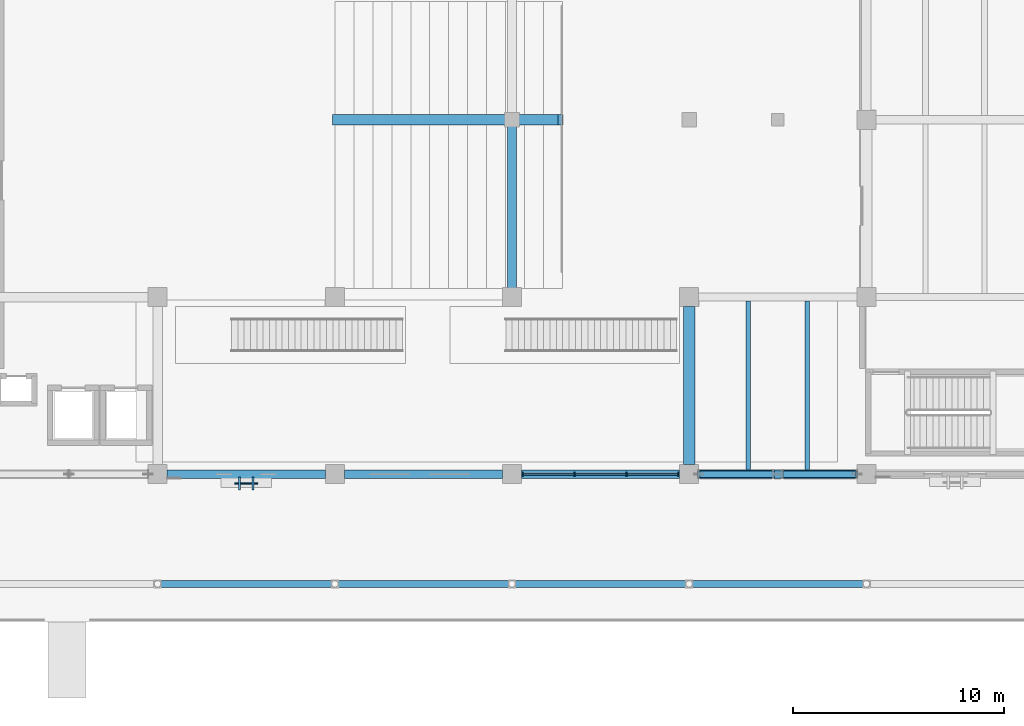
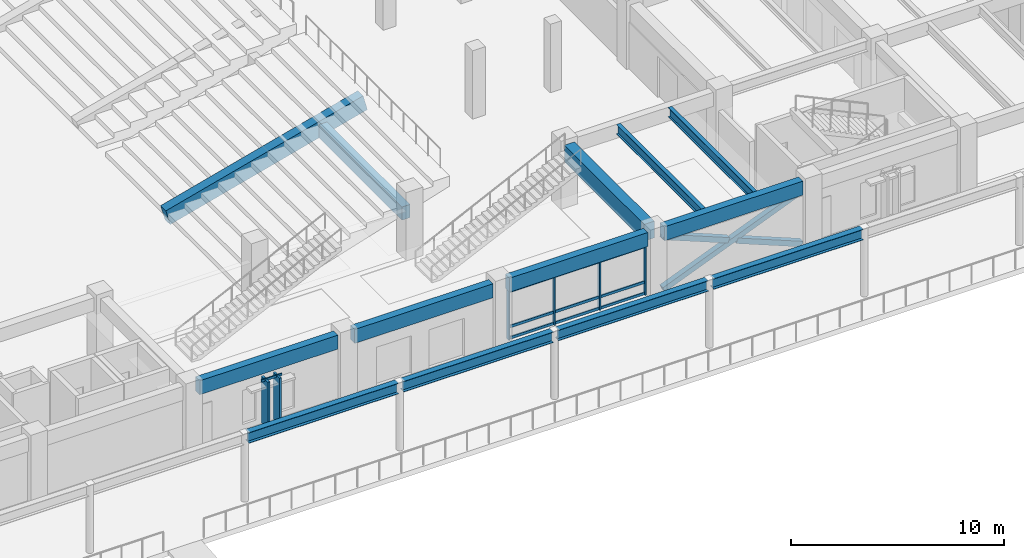
# One storey, part 25 of 135: 19 members, 13 beams, 2 elements without a shape of their own.
"""IFC4 building model written with IfcOpenShell, lengths in metres."""

from ifc_helpers import new_model, si_unit, direction, frame, origin, origin_2d, place, context, subcontext, project, spatial, rectangle, hollow_rectangle, i_section, extrude, material, material_profile, profile_set, type_object, element, aggregate, save


model = new_model("IFC4")

# Units and contexts
model_context = context("Model", 3, precision=1e-05, world=origin(), true_north=direction((0.0, 1.0)))
body_context = subcontext(model_context, "Body", "Model", "MODEL_VIEW")
ifc_project = project(units=[si_unit("LENGTHUNIT", "METRE"), si_unit("AREAUNIT", "SQUARE_METRE"), si_unit("VOLUMEUNIT", "CUBIC_METRE"), si_unit("PLANEANGLEUNIT", "RADIAN"), si_unit("MASSUNIT", "GRAM", prefix="KILO")], contexts=[model_context])

# Site, building, storey
site_placement = place(None, origin())
site = spatial("IfcSite", under=ifc_project, at=site_placement, CompositionType="ELEMENT")
building_placement = place(site_placement, origin())
building = spatial("IfcBuilding", under=site, at=building_placement, Name="Cumbredor Promenade Congress Hotel", CompositionType="ELEMENT")
storey_placement = place(building_placement, origin())
storey = spatial("IfcBuildingStorey", under=building, at=storey_placement, Name="L00", CompositionType="ELEMENT", Elevation=0.0)

# Beams
ifc_material_1 = material(Name="Concrete C40/50", Category="concrete")
ifc_material_profile_1 = material_profile(ifc_material_1, rectangle(XDim=0.449951171875, YDim=0.75, at=origin_2d()), Name="RC BEAM 450x750")
ifc_profile_set_1 = profile_set([ifc_material_profile_1], Name="Concrete C40/50")
beam_type_1 = type_object("IfcBeamType", Name="BM-RC-450x750", PredefinedType="BEAM", material=ifc_profile_set_1)
beam_1_placement = place(storey_placement, frame((42.0, 17.14990234375, 2.14990234375), z_axis=(0.0, 1.0, 0.0), x_axis=(-1.0, 0.0, 0.0)))
element("IfcBeam", 1, at=beam_1_placement, inside=storey, type_object=beam_type_1, Name="L00 Orchestra Raker Cross Stringer 1", PredefinedType="BEAM", context=body_context, shape_type="SweptSolid", body=[
    extrude(rectangle(XDim=0.449951171875, YDim=0.75, at=origin_2d()), origin(), (0.0, 0.0, 1.0), 8.050048828125),
])
ifc_material_profile_2 = material_profile(ifc_material_1, rectangle(XDim=0.550048828125, YDim=0.949951171875, at=origin_2d()), Name="RC BEAM 550x950")
ifc_profile_set_2 = profile_set([ifc_material_profile_2], Name="Concrete C40/50")
beam_type_2 = type_object("IfcBeamType", Name="BM-RC-550x950", PredefinedType="BEAM", material=ifc_profile_set_2)
beam_2_placement = place(storey_placement, frame((50.39990234375, 8.85009765625, 3.1650390625), z_axis=(0.0, 1.0, 0.0), x_axis=(-1.0, 0.0, 0.0)))
element("IfcBeam", 2, at=beam_2_placement, inside=storey, type_object=beam_type_2, Name="L01 Y-Grid Beam 073", PredefinedType="BEAM", context=body_context, shape_type="SweptSolid", body=[
    extrude(rectangle(XDim=0.550048828125, YDim=0.949951171875, at=origin_2d()), origin(), (0.0, 0.0, 1.0), 7.5),
])
ifc_material_2 = material(Name="Steel ASTM A992 Grade 50", Category="steel")
ifc_material_profile_3 = material_profile(ifc_material_2, i_section(OverallWidth=0.323974609375, OverallDepth=0.611083984375, WebThickness=0.0126953125, FlangeThickness=0.01904296875, at=origin_2d()), Name="W24X104")
ifc_profile_set_3 = profile_set([ifc_material_profile_3], Name="Steel ASTM A992 Grade 50")
beam_type_3 = type_object("IfcBeamType", Name="BM-W24X104", PredefinedType="BEAM", material=ifc_profile_set_3)
beam_3_placement = place(storey_placement, frame((25.340087890625, 3.199951171875, 3.60009765625), z_axis=(1.0, 0.0, 0.0), x_axis=(0.0, 1.0, 0.0)))
element("IfcBeam", 3, at=beam_3_placement, inside=storey, type_object=beam_type_3, Name="Riverside Colonnade Edge Beam 03", PredefinedType="BEAM", context=body_context, shape_type="SweptSolid", body=[
    extrude(i_section(OverallWidth=0.323974609375, OverallDepth=0.611083984375, WebThickness=0.0126953125, FlangeThickness=0.01904296875, at=origin_2d()), origin(), (0.0, 0.0, 1.0), 8.119873046875),
])
for number, where, z_axis, x_axis, name in (
    (4, (33.739990234375, 3.199951171875, 3.60009765625), (1.0, 0.0, 0.0), (0.0, 1.0, 0.0), "Riverside Colonnade Edge Beam 04"),
    (5, (42.139892578125, 3.199951171875, 3.60009765625), (1.0, 0.0, 0.0), (0.0, 1.0, 0.0), "Riverside Colonnade Edge Beam 05"),
):
    element("IfcBeam", number, at=place(storey_placement, frame(where, z_axis=z_axis, x_axis=x_axis)), inside=storey, type_object=beam_type_3, Name=name, PredefinedType="BEAM", context=body_context, shape_type="SweptSolid", body=[
        extrude(i_section(OverallWidth=0.323974609375, OverallDepth=0.611083984375, WebThickness=0.0126953125, FlangeThickness=0.01904296875, at=origin_2d()), origin(), (0.0, 0.0, 1.0), 8.1201171875),
    ])
beam_4_placement = place(storey_placement, frame((50.5400390625, 3.199951171875, 3.60009765625), z_axis=(1.0, 0.0, 0.0), x_axis=(0.0, 1.0, 0.0)))
element("IfcBeam", 6, at=beam_4_placement, inside=storey, type_object=beam_type_3, Name="Riverside Colonnade Edge Beam 06", PredefinedType="BEAM", context=body_context, shape_type="SweptSolid", body=[
    extrude(i_section(OverallWidth=0.323974609375, OverallDepth=0.611083984375, WebThickness=0.0126953125, FlangeThickness=0.01904296875, at=origin_2d()), origin(), (0.0, 0.0, 1.0), 8.119873046875),
])

# Curtain wall, members
ifc_material_3 = material(Name="Thermally broken anodized aluminium and low-E glass", Category="aluminium")
curtain_wall_type_1 = type_object("IfcCurtainWallType", Name="Unitised Grand Foyer Curtain Wall CW-04", PredefinedType="NOTDEFINED", material=ifc_material_3)
curtain_wall_1_placement = place(storey_placement, origin())
curtain_wall_1 = element("IfcCurtainWall", 7, at=curtain_wall_1_placement, inside=storey, type_object=curtain_wall_type_1, Name="L00 Plenary Congress Hall South Curtain Wall 5", PredefinedType="NOTDEFINED")
ifc_material_4 = material(Name="Thermally broken anodized aluminium", Category="aluminium")
ifc_material_profile_4 = material_profile(ifc_material_4, rectangle(XDim=0.074951171875, YDim=0.199951171875, at=origin_2d()), Name="ALU MULLION 75x200")
ifc_profile_set_4 = profile_set([ifc_material_profile_4], Name="Thermally broken anodized aluminium")
member_type_1 = type_object("IfcMemberType", Name="Curtain Wall Mullion ML-02", PredefinedType="MULLION", material=ifc_profile_set_4)
member_1_placement = place(storey_placement, frame((42.5048828125, 8.39990234375, -0.008056640625), z_axis=(0.0, 0.0, 1.0), x_axis=(1.0, 0.0, 0.0)))
member_1 = element("IfcMember", 8, at=member_1_placement, type_object=member_type_1, Name="L00 Plenary Congress Hall South Curtain Wall 5 Mullion 1", PredefinedType="MULLION", context=body_context, shape_type="SweptSolid", body=[
    extrude(rectangle(XDim=0.074951171875, YDim=0.199951171875, at=origin_2d()), origin(), (0.0, 0.0, 1.0), 2.841064453125),
])
member_2_placement = place(storey_placement, frame((44.96826171875, 8.39990234375, -0.008056640625), z_axis=(0.0, 0.0, 1.0), x_axis=(1.0, 0.0, 0.0)))
member_2 = element("IfcMember", 9, at=member_2_placement, type_object=member_type_1, Name="L00 Plenary Congress Hall South Curtain Wall 5 Mullion 2", PredefinedType="MULLION", context=body_context, shape_type="SweptSolid", body=[
    extrude(rectangle(XDim=0.074951171875, YDim=0.199951171875, at=origin_2d()), origin(), (0.0, 0.0, 1.0), 2.841064453125),
])
member_3_placement = place(storey_placement, frame((47.431640625, 8.39990234375, -0.008056640625), z_axis=(0.0, 0.0, 1.0), x_axis=(1.0, 0.0, 0.0)))
member_3 = element("IfcMember", 10, at=member_3_placement, type_object=member_type_1, Name="L00 Plenary Congress Hall South Curtain Wall 5 Mullion 3", PredefinedType="MULLION", context=body_context, shape_type="SweptSolid", body=[
    extrude(rectangle(XDim=0.074951171875, YDim=0.199951171875, at=origin_2d()), origin(), (0.0, 0.0, 1.0), 2.841064453125),
])
member_4_placement = place(storey_placement, frame((49.89501953125, 8.39990234375, -0.008056640625), z_axis=(0.0, 0.0, 1.0), x_axis=(1.0, 0.0, 0.0)))
member_4 = element("IfcMember", 11, at=member_4_placement, type_object=member_type_1, Name="L00 Plenary Congress Hall South Curtain Wall 5 Mullion 4", PredefinedType="MULLION", context=body_context, shape_type="SweptSolid", body=[
    extrude(rectangle(XDim=0.074951171875, YDim=0.199951171875, at=origin_2d()), origin(), (0.0, 0.0, 1.0), 2.841064453125),
])

# Curtain wall, member
curtain_wall_type_2 = type_object("IfcCurtainWallType", Name="Solar Brise-Soleil Screen Assembly CW-07", PredefinedType="NOTDEFINED", material=ifc_material_3)
curtain_wall_2_placement = place(storey_placement, origin())
curtain_wall_2 = element("IfcCurtainWall", 12, at=curtain_wall_2_placement, inside=storey, type_object=curtain_wall_type_2, Name="L00 Pier Brise-Soleil Screen 0004", PredefinedType="NOTDEFINED")
ifc_material_profile_5 = material_profile(ifc_material_4, rectangle(XDim=0.06494140625, YDim=0.1298828125, at=origin_2d()), Name="ALU TRANSOM 65x130")
ifc_profile_set_5 = profile_set([ifc_material_profile_5], Name="Thermally broken anodized aluminium")
member_type_2 = type_object("IfcMemberType", Name="Curtain Wall Transom TR-01", PredefinedType="USERDEFINED", material=ifc_profile_set_5)
member_5_placement = place(storey_placement, frame((28.85009765625, 7.965087890625, 2.6650390625), z_axis=(1.0, 0.0, 0.0), x_axis=(0.0, 1.0, 0.0)))
member_5 = element("IfcMember", 13, at=member_5_placement, type_object=member_type_2, Name="L00 Pier Brise-Soleil Header 0006", ObjectType="TRANSOM", PredefinedType="USERDEFINED", context=body_context, shape_type="SweptSolid", body=[
    extrude(rectangle(XDim=0.06494140625, YDim=0.1298828125, at=origin_2d()), origin(), (0.0, 0.0, 1.0), 1.099853515625),
])

# Member
ifc_material_profile_6 = material_profile(ifc_material_4, rectangle(XDim=0.074951171875, YDim=0.14990234375, at=origin_2d()), Name="ALU TRANSOM 75x150")
ifc_profile_set_6 = profile_set([ifc_material_profile_6], Name="Thermally broken anodized aluminium")
member_type_3 = type_object("IfcMemberType", Name="Curtain Wall Transom TR-02", PredefinedType="USERDEFINED", material=ifc_profile_set_6)
member_6_placement = place(storey_placement, frame((42.54248046875, 8.39990234375, 0.070068359375), z_axis=(1.0, 0.0, 0.0), x_axis=(0.0, 1.0, 0.0)))
member_6 = element("IfcMember", 14, at=member_6_placement, type_object=member_type_3, Name="L00 Plenary Congress Hall South Curtain Wall 5 Transom 1.1", ObjectType="TRANSOM", PredefinedType="USERDEFINED", context=body_context, shape_type="SweptSolid", body=[
    extrude(rectangle(XDim=0.074951171875, YDim=0.14990234375, at=origin_2d()), origin(), (0.0, 0.0, 1.0), 2.388427734375),
])

member_7_placement = place(storey_placement, frame((42.54248046875, 8.39990234375, 0.719970703125), z_axis=(1.0, 0.0, 0.0), x_axis=(0.0, 1.0, 0.0)))
member_7 = element("IfcMember", 15, at=member_7_placement, type_object=member_type_3, Name="L00 Plenary Congress Hall South Curtain Wall 5 Transom 1.2", ObjectType="TRANSOM", PredefinedType="USERDEFINED", context=body_context, shape_type="SweptSolid", body=[
    extrude(rectangle(XDim=0.074951171875, YDim=0.14990234375, at=origin_2d()), origin(), (0.0, 0.0, 1.0), 2.388427734375),
])

member_8_placement = place(storey_placement, frame((42.54248046875, 8.39990234375, 2.75), z_axis=(1.0, 0.0, 0.0), x_axis=(0.0, 1.0, 0.0)))
member_8 = element("IfcMember", 16, at=member_8_placement, type_object=member_type_3, Name="L00 Plenary Congress Hall South Curtain Wall 5 Transom 1.3", ObjectType="TRANSOM", PredefinedType="USERDEFINED", context=body_context, shape_type="SweptSolid", body=[
    extrude(rectangle(XDim=0.074951171875, YDim=0.14990234375, at=origin_2d()), origin(), (0.0, 0.0, 1.0), 2.388427734375),
])

member_9_placement = place(storey_placement, frame((45.005859375, 8.39990234375, 0.070068359375), z_axis=(1.0, 0.0, 0.0), x_axis=(0.0, 1.0, 0.0)))
member_9 = element("IfcMember", 17, at=member_9_placement, type_object=member_type_3, Name="L00 Plenary Congress Hall South Curtain Wall 5 Transom 2.1", ObjectType="TRANSOM", PredefinedType="USERDEFINED", context=body_context, shape_type="SweptSolid", body=[
    extrude(rectangle(XDim=0.074951171875, YDim=0.14990234375, at=origin_2d()), origin(), (0.0, 0.0, 1.0), 2.388427734375),
])

member_10_placement = place(storey_placement, frame((45.005859375, 8.39990234375, 0.719970703125), z_axis=(1.0, 0.0, 0.0), x_axis=(0.0, 1.0, 0.0)))
member_10 = element("IfcMember", 18, at=member_10_placement, type_object=member_type_3, Name="L00 Plenary Congress Hall South Curtain Wall 5 Transom 2.2", ObjectType="TRANSOM", PredefinedType="USERDEFINED", context=body_context, shape_type="SweptSolid", body=[
    extrude(rectangle(XDim=0.074951171875, YDim=0.14990234375, at=origin_2d()), origin(), (0.0, 0.0, 1.0), 2.388427734375),
])

member_11_placement = place(storey_placement, frame((45.005859375, 8.39990234375, 2.75), z_axis=(1.0, 0.0, 0.0), x_axis=(0.0, 1.0, 0.0)))
member_11 = element("IfcMember", 19, at=member_11_placement, type_object=member_type_3, Name="L00 Plenary Congress Hall South Curtain Wall 5 Transom 2.3", ObjectType="TRANSOM", PredefinedType="USERDEFINED", context=body_context, shape_type="SweptSolid", body=[
    extrude(rectangle(XDim=0.074951171875, YDim=0.14990234375, at=origin_2d()), origin(), (0.0, 0.0, 1.0), 2.388427734375),
])

member_12_placement = place(storey_placement, frame((47.46923828125, 8.39990234375, 0.070068359375), z_axis=(1.0, 0.0, 0.0), x_axis=(0.0, 1.0, 0.0)))
member_12 = element("IfcMember", 20, at=member_12_placement, type_object=member_type_3, Name="L00 Plenary Congress Hall South Curtain Wall 5 Transom 3.1", ObjectType="TRANSOM", PredefinedType="USERDEFINED", context=body_context, shape_type="SweptSolid", body=[
    extrude(rectangle(XDim=0.074951171875, YDim=0.14990234375, at=origin_2d()), origin(), (0.0, 0.0, 1.0), 2.38818359375),
])

member_13_placement = place(storey_placement, frame((47.46923828125, 8.39990234375, 0.719970703125), z_axis=(1.0, 0.0, 0.0), x_axis=(0.0, 1.0, 0.0)))
member_13 = element("IfcMember", 21, at=member_13_placement, type_object=member_type_3, Name="L00 Plenary Congress Hall South Curtain Wall 5 Transom 3.2", ObjectType="TRANSOM", PredefinedType="USERDEFINED", context=body_context, shape_type="SweptSolid", body=[
    extrude(rectangle(XDim=0.074951171875, YDim=0.14990234375, at=origin_2d()), origin(), (0.0, 0.0, 1.0), 2.38818359375),
])

member_14_placement = place(storey_placement, frame((47.46923828125, 8.39990234375, 2.75), z_axis=(1.0, 0.0, 0.0), x_axis=(0.0, 1.0, 0.0)))
member_14 = element("IfcMember", 22, at=member_14_placement, type_object=member_type_3, Name="L00 Plenary Congress Hall South Curtain Wall 5 Transom 3.3", ObjectType="TRANSOM", PredefinedType="USERDEFINED", context=body_context, shape_type="SweptSolid", body=[
    extrude(rectangle(XDim=0.074951171875, YDim=0.14990234375, at=origin_2d()), origin(), (0.0, 0.0, 1.0), 2.38818359375),
])

aggregate(curtain_wall_1, [member_1, member_2, member_3, member_4, member_6, member_7, member_8, member_9, member_10, member_11, member_12, member_13, member_14])

# Beams
ifc_material_profile_7 = material_profile(ifc_material_2, i_section(OverallWidth=0.214111328125, OverallDepth=0.549072265625, WebThickness=0.0146484375, FlangeThickness=0.023681640625, at=origin_2d()), Name="W21X93")
ifc_profile_set_7 = profile_set([ifc_material_profile_7], Name="Steel ASTM A992 Grade 50")
beam_type_4 = type_object("IfcBeamType", Name="JST-W21X93", PredefinedType="JOIST", material=ifc_profile_set_7)
for number, where, z_axis, x_axis, name in (
    (23, (53.199951171875, 8.60009765625, 3.365478515625), (0.0, 1.0, 0.0), (-1.0, 0.0, 0.0), "L01 Secondary Floor Joist 0032"),
    (24, (56.0, 8.60009765625, 3.365478515625), (0.0, 1.0, 0.0), (-1.0, 0.0, 0.0), "L01 Secondary Floor Joist 0033"),
):
    element("IfcBeam", number, at=place(storey_placement, frame(where, z_axis=z_axis, x_axis=x_axis)), inside=storey, type_object=beam_type_4, Name=name, PredefinedType="JOIST", context=body_context, shape_type="SweptSolid", body=[
        extrude(i_section(OverallWidth=0.214111328125, OverallDepth=0.549072265625, WebThickness=0.0146484375, FlangeThickness=0.023681640625, at=origin_2d()), origin(), (0.0, 0.0, 1.0), 8.0),
    ])
ifc_material_profile_8 = material_profile(ifc_material_1, rectangle(XDim=0.5, YDim=0.89990234375, at=origin_2d()), Name="RC RAKER 500x900")
ifc_profile_set_8 = profile_set([ifc_material_profile_8], Name="Concrete C40/50")
beam_type_5 = type_object("IfcBeamType", Name="RK-RC-500x900", PredefinedType="USERDEFINED", material=ifc_profile_set_8)
beam_5_placement = place(storey_placement, frame((33.60009765625, 25.199951171875, 0.050048828125), z_axis=(0.966312842237, 0.0, 0.257370338089), x_axis=(0.0, 1.0, 0.0)))
element("IfcBeam", 25, at=beam_5_placement, inside=storey, type_object=beam_type_5, Name="Plenary Hall Lower Raker Beam Y25", ObjectType="RAKER BEAM", PredefinedType="USERDEFINED", context=body_context, shape_type="SweptSolid", body=[
    extrude(rectangle(XDim=0.5, YDim=0.89990234375, at=origin_2d()), origin(), (0.0, 0.0, 1.0), 11.072998046875),
])
ifc_material_profile_9 = material_profile(ifc_material_1, rectangle(XDim=0.39990234375, YDim=0.800048828125, at=origin_2d()), Name="RC SPANDREL 400x800")
ifc_profile_set_9 = profile_set([ifc_material_profile_9], Name="Concrete C40/50")
beam_type_6 = type_object("IfcBeamType", Name="SP-RC-400x800", PredefinedType="SPANDREL", material=ifc_profile_set_9)
for number, where, z_axis, x_axis, name in (
    (26, (25.64990234375, 8.39990234375, 3.239990234375), (1.0, 0.0, 0.0), (0.0, 1.0, 0.0), "L01 X-Grid Beam 050"),
    (27, (34.050048828125, 8.39990234375, 3.239990234375), (1.0, 0.0, 0.0), (0.0, 1.0, 0.0), "L01 X-Grid Beam 058"),
    (28, (42.449951171875, 8.39990234375, 3.239990234375), (1.0, 0.0, 0.0), (0.0, 1.0, 0.0), "L01 X-Grid Beam 065"),
    (29, (50.85009765625, 8.39990234375, 3.239990234375), (1.0, 0.0, 0.0), (0.0, 1.0, 0.0), "L01 X-Grid Beam 072"),
):
    element("IfcBeam", number, at=place(storey_placement, frame(where, z_axis=z_axis, x_axis=x_axis)), inside=storey, type_object=beam_type_6, Name=name, PredefinedType="SPANDREL", context=body_context, shape_type="SweptSolid", body=[
        extrude(rectangle(XDim=0.39990234375, YDim=0.800048828125, at=origin_2d()), origin(), (0.0, 0.0, 1.0), 7.5),
    ])

# Members
ifc_material_5 = material(Name="Steel ASTM A500 Grade C", Category="steel")
ifc_material_profile_10 = material_profile(ifc_material_5, hollow_rectangle(XDim=0.300048828125, YDim=0.300048828125, WallThickness=0.01611328125, at=origin_2d()), Name="HSS 300x300x16")
ifc_profile_set_10 = profile_set([ifc_material_profile_10], Name="Steel ASTM A500 Grade C")
member_type_4 = type_object("IfcMemberType", Name="Seismic Frame Brace CBF-1", PredefinedType="BRACE", material=ifc_profile_set_10)
member_15_placement = place(storey_placement, frame((50.85009765625, 8.39990234375, 0.0), z_axis=(0.927191042207, 0.0, 0.374588802892), x_axis=(0.0, 1.0, 0.0)))
element("IfcMember", 30, at=member_15_placement, inside=storey, type_object=member_type_4, Name="L00 X-Brace Continuous Diagonal 10A", PredefinedType="BRACE", context=body_context, shape_type="SweptSolid", body=[
    extrude(hollow_rectangle(XDim=0.300048828125, YDim=0.300048828125, WallThickness=0.01611328125, at=origin_2d()), origin(), (0.0, 0.0, 1.0), 8.0888671875),
])
for number, where, z_axis, x_axis, name in (
    (31, (58.35009765625, 8.39990234375, 0.0), (-0.927201125631, 0.0, 0.374563843194), (0.0, -1.0, 0.0), "L00 X-Brace Lower Split Diagonal 10B1"),
    (32, (54.37744140625, 8.39990234375, 1.60498046875), (-0.927192121815, 0.0, 0.374586130609), (0.0, -1.0, 0.0), "L00 X-Brace Upper Split Diagonal 10B2"),
):
    element("IfcMember", number, at=place(storey_placement, frame(where, z_axis=z_axis, x_axis=x_axis)), inside=storey, type_object=member_type_4, Name=name, PredefinedType="BRACE", context=body_context, shape_type="SweptSolid", body=[
        extrude(hollow_rectangle(XDim=0.300048828125, YDim=0.300048828125, WallThickness=0.01611328125, at=origin_2d()), origin(), (0.0, 0.0, 1.0), 3.804443359375),
    ])

# Member
ifc_material_profile_11 = material_profile(ifc_material_4, rectangle(XDim=0.110107421875, YDim=0.6201171875, at=origin_2d()), Name="ARCH FIN 110x620")
ifc_profile_set_11 = profile_set([ifc_material_profile_11], Name="Thermally broken anodized aluminium")
member_type_5 = type_object("IfcMemberType", Name="Vertical Bronze Brise-Soleil Fin BSF-02 110x620", PredefinedType="USERDEFINED", material=ifc_profile_set_11)
member_16_placement = place(storey_placement, frame((29.080078125, 7.965087890625, 0.02001953125), z_axis=(0.0, 0.0, 1.0), x_axis=(1.0, 0.0, 0.0)))
member_16 = element("IfcMember", 33, at=member_16_placement, type_object=member_type_5, Name="L00 Pier Brise-Soleil Fin 0005", ObjectType="SOLAR FIN", PredefinedType="USERDEFINED", context=body_context, shape_type="SweptSolid", body=[
    extrude(rectangle(XDim=0.110107421875, YDim=0.6201171875, at=origin_2d()), origin(), (0.0, 0.0, 1.0), 2.68505859375),
])

member_17_placement = place(storey_placement, frame((29.719970703125, 7.965087890625, 0.02001953125), z_axis=(0.0, 0.0, 1.0), x_axis=(1.0, 0.0, 0.0)))
member_17 = element("IfcMember", 34, at=member_17_placement, type_object=member_type_5, Name="L00 Pier Brise-Soleil Fin 0006", ObjectType="SOLAR FIN", PredefinedType="USERDEFINED", context=body_context, shape_type="SweptSolid", body=[
    extrude(rectangle(XDim=0.110107421875, YDim=0.6201171875, at=origin_2d()), origin(), (0.0, 0.0, 1.0), 2.68505859375),
])

aggregate(curtain_wall_2, [member_16, member_17, member_5])

save(model, "model.ifc")
